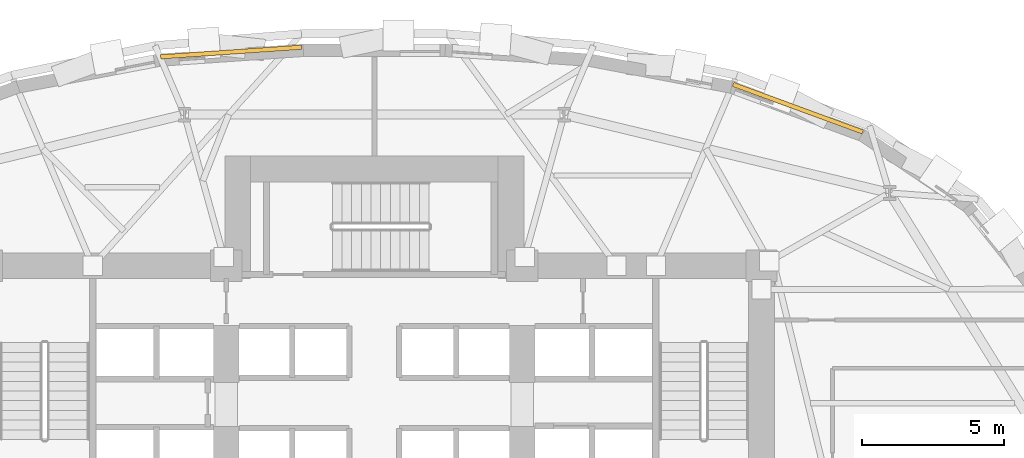
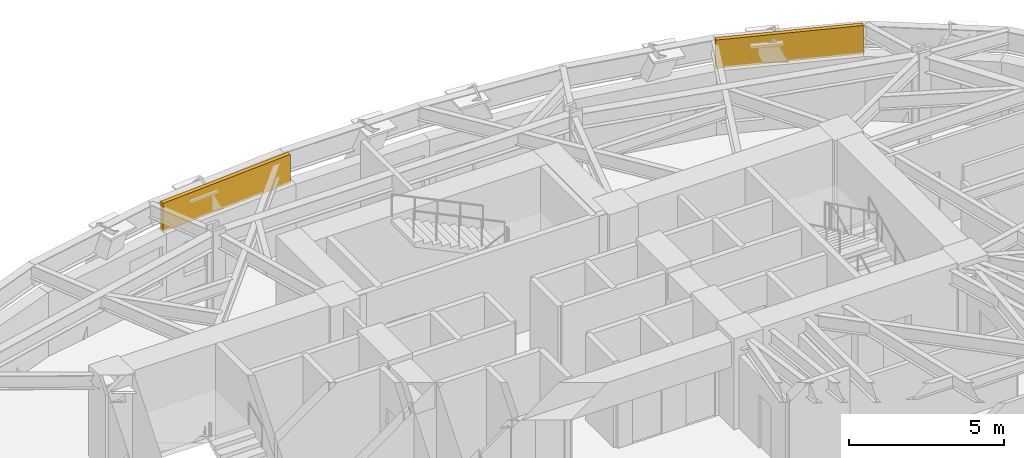
# One storey, part 13 of 13: 2 coverings.
"""IFC4 building model written with IfcOpenShell, lengths in metres."""

from ifc_helpers import new_model, si_unit, direction, frame, origin, origin_2d, place, context, subcontext, project, spatial, rectangle, extrude, material, layer, layer_set, type_object, element, save


model = new_model("IFC4")

# Units and contexts
model_context = context("Model", 3, precision=1e-05, world=origin(), true_north=direction((0.0, 1.0)))
body_context = subcontext(model_context, "Body", "Model", "MODEL_VIEW")
ifc_project = project(units=[si_unit("LENGTHUNIT", "METRE"), si_unit("AREAUNIT", "SQUARE_METRE"), si_unit("VOLUMEUNIT", "CUBIC_METRE"), si_unit("PLANEANGLEUNIT", "RADIAN"), si_unit("MASSUNIT", "GRAM", prefix="KILO")], contexts=[model_context])

# Site, building, storey
site_placement = place(None, origin())
site = spatial("IfcSite", under=ifc_project, at=site_placement, CompositionType="ELEMENT")
building_placement = place(site_placement, origin())
building = spatial("IfcBuilding", under=site, at=building_placement, Name="Keldmark Tower", CompositionType="ELEMENT")
storey_placement = place(building_placement, frame((0.0, 0.0, 30.60009765625)))
storey = spatial("IfcBuildingStorey", under=building, at=storey_placement, Name="L07", CompositionType="ELEMENT", Elevation=30.60009765625)

# Coverings
ifc_material = material(Name="Honed Kasota Buff Dolomitic Limestone", Category="masonry")
ifc_layer = layer(ifc_material, 0.074951171875)
ifc_layer_set = layer_set([ifc_layer], Name="Honed Kasota Buff Dolomitic Limestone")
covering_type = type_object("IfcCoveringType", Name="Kasota Buff Limestone Spandrel Cladding Band", PredefinedType="CLADDING", material=ifc_layer_set)
covering_1_placement = place(storey_placement, frame((14.879150390625, 14.9833984375, 2.452880859375), z_axis=(0.0, 0.0, 1.0), x_axis=(-0.938715810906, 0.344692074692, 0.0)))
element("IfcCovering", 1, at=covering_1_placement, inside=storey, type_object=covering_type, Name="L07 Kasota Limestone Spandrel Band 05", PredefinedType="CLADDING", context=body_context, shape_type="SweptSolid", body=[
    extrude(rectangle(XDim=4.84716796875, YDim=0.14990234375, at=origin_2d()), origin(), (0.0, 0.0, 1.0), 1.126953125),
])
covering_2_placement = place(storey_placement, frame((-5.030517578125, 16.955810546875, 2.452880859375), z_axis=(0.0, 0.0, 1.0), x_axis=(-0.99768783874, -0.067963051945, 0.0)))
element("IfcCovering", 2, at=covering_2_placement, inside=storey, type_object=covering_type, Name="L07 Kasota Limestone Spandrel Band 09", PredefinedType="CLADDING", context=body_context, shape_type="SweptSolid", body=[
    extrude(rectangle(XDim=4.95263671875, YDim=0.14990234375, at=origin_2d()), origin(), (0.0, 0.0, 1.0), 1.126953125),
])

save(model, "model.ifc")
